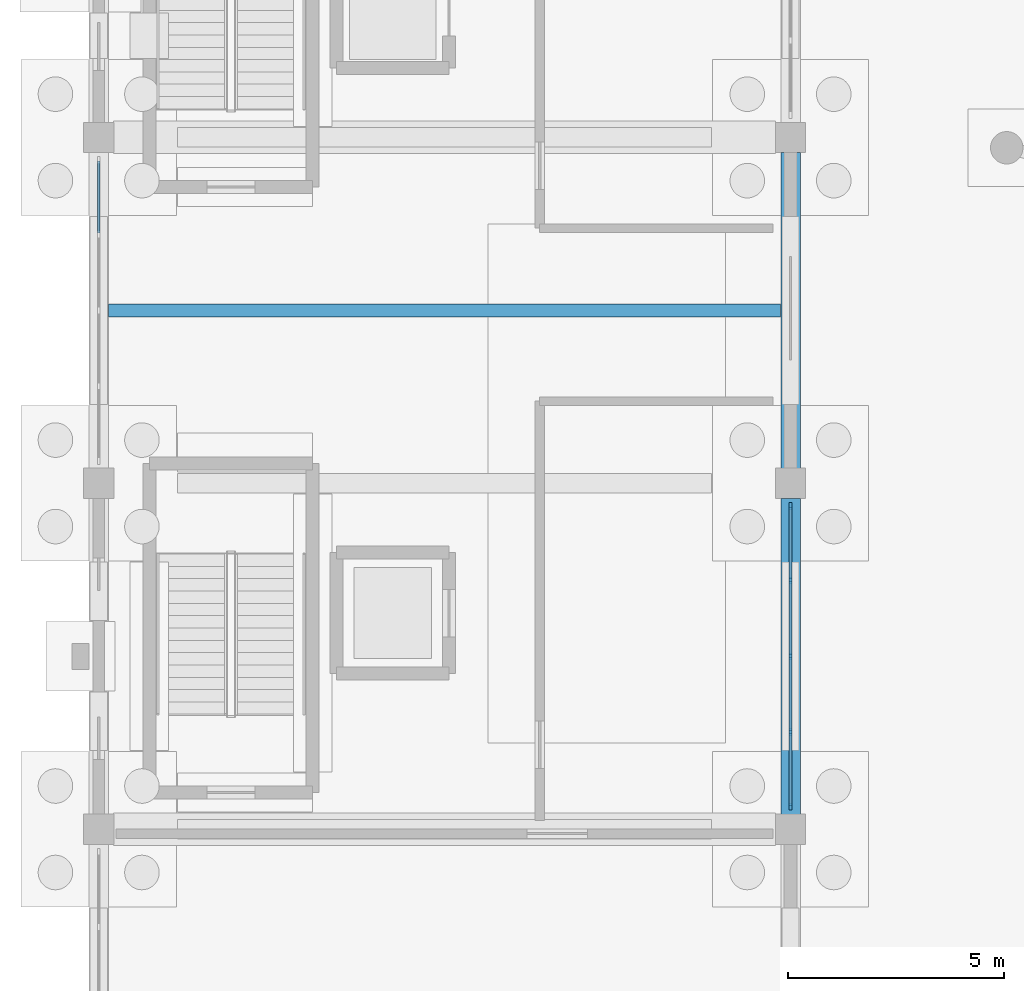
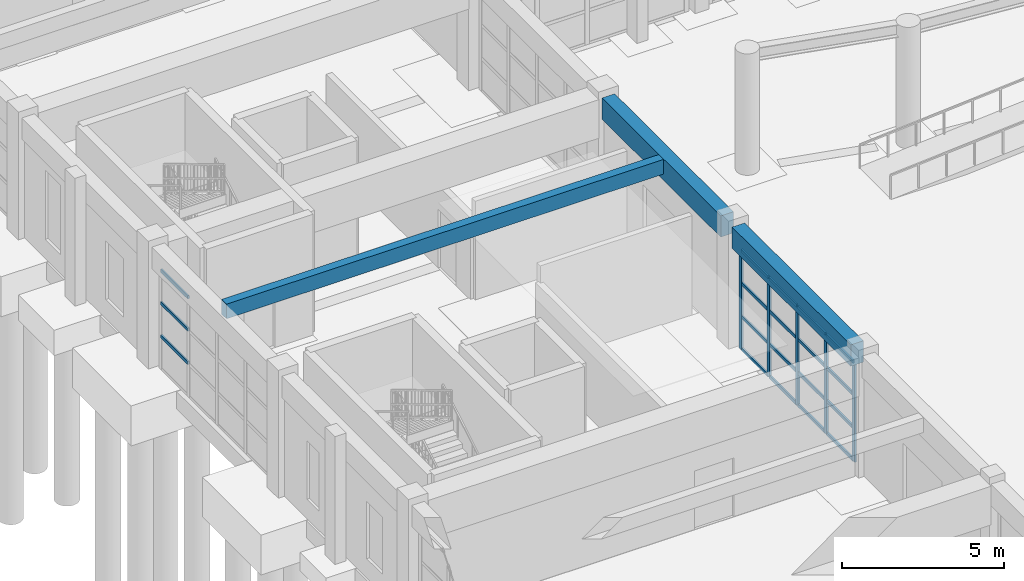
# One storey, part 12 of 68: 24 members, 3 beams, 2 elements without a shape of their own.
"""IFC4 building model written with IfcOpenShell, lengths in metres."""

import ifcopenshell
import ifcopenshell.guid

model = None  # the IFC model being written
_history = None  # IfcOwnerHistory: only IFC2X3 demands one
_inside = {}  # id of a spatial element -> (the spatial element, [elements in it])
_under = {}  # id of a project, library or spatial element -> (it, [spatial elements below it])
_declared = {}  # id of a project -> (the project, [libraries it declares])
_typed = {}  # id of a type object -> (the type object, [elements of that type])
_made_of = {}  # id of a material, layer set ... -> (it, [elements and type objects made of it])


def new_model(schema):
    """Start an empty IFC model of exactly this schema.

    Asked for "IFC4X3", IfcOpenShell would pick the latest addendum, in which some entities
    have other attributes; the version numbers below select the first issue.
    IFC2X3 requires an IfcOwnerHistory on every rooted entity: one is made here for all.
    """
    global model, _history
    if schema == "IFC4X3":
        model = ifcopenshell.file(schema_version=(4, 3, 0, 0))
    else:
        model = ifcopenshell.file(schema=schema)
    _inside.clear()
    _under.clear()
    _declared.clear()
    _typed.clear()
    _made_of.clear()
    _history = None
    if model.schema == "IFC2X3":
        org = make("IfcOrganization", Name="unknown")
        user = make(
            "IfcPersonAndOrganization",
            ThePerson=make("IfcPerson", FamilyName="unknown"),
            TheOrganization=org,
        )
        app = make(
            "IfcApplication",
            ApplicationDeveloper=org,
            Version="unknown",
            ApplicationFullName="unknown",
            ApplicationIdentifier="unknown",
        )
        _history = make(
            "IfcOwnerHistory",
            OwningUser=user,
            OwningApplication=app,
            ChangeAction="ADDED",
            CreationDate=0,
        )
    return model


def make(cls, **values):
    """One entity of the class cls with the attributes given. An attribute that is None is left unset."""
    return model.create_entity(
        cls, **{name: value for name, value in values.items() if value is not None}
    )


def rooted(cls, **values):
    """An entity with a GlobalId (a new one), such as an element, a storey or a relation."""
    return make(cls, GlobalId=ifcopenshell.guid.new(), OwnerHistory=_history, **values)


def si_unit(unit_type, name, prefix=None):
    """IfcSIUnit, for example si_unit("LENGTHUNIT", "METRE", prefix="MILLI")."""
    return make("IfcSIUnit", UnitType=unit_type, Prefix=prefix, Name=name)


def assignment(units):
    """IfcUnitAssignment: the units of a project."""
    return None if units is None else make("IfcUnitAssignment", Units=units)


def point(xyz):
    """IfcCartesianPoint."""
    return None if xyz is None else make("IfcCartesianPoint", Coordinates=xyz)


def direction(xyz):
    """IfcDirection."""
    return None if xyz is None else make("IfcDirection", DirectionRatios=xyz)


def frame(location, z_axis=None, x_axis=None):
    """IfcAxis2Placement3D, a coordinate frame: its origin and axes. An axis left out is left unset."""
    return make(
        "IfcAxis2Placement3D",
        Location=point(location),
        Axis=direction(z_axis),
        RefDirection=direction(x_axis),
    )


def frame_2d(location, x_axis=None):
    """IfcAxis2Placement2D, a coordinate frame in the plane: its origin and x axis."""
    return make(
        "IfcAxis2Placement2D", Location=point(location), RefDirection=direction(x_axis)
    )


def origin():
    """The frame at (0, 0, 0) with its axes left unset."""
    return frame((0.0, 0.0, 0.0))


def origin_2d():
    """The frame at (0, 0) in the plane with its x axis left unset."""
    return frame_2d((0.0, 0.0))


def place(relative_to, where):
    """IfcLocalPlacement: puts the frame where relative to a parent placement (None: the world)."""
    return make(
        "IfcLocalPlacement", PlacementRelTo=relative_to, RelativePlacement=where
    )


def context(
    kind, dimensions, precision=None, world=None, true_north=None, identifier=None
):
    """IfcGeometricRepresentationContext, for example the 3D "Model" context."""
    return make(
        "IfcGeometricRepresentationContext",
        ContextIdentifier=identifier,
        ContextType=kind,
        CoordinateSpaceDimension=dimensions,
        Precision=precision,
        WorldCoordinateSystem=world,
        TrueNorth=true_north,
    )


def subcontext(parent, identifier, kind, view, scale=None):
    """IfcGeometricRepresentationSubContext, for example "Body" below "Model"."""
    return make(
        "IfcGeometricRepresentationSubContext",
        ContextIdentifier=identifier,
        ContextType=kind,
        ParentContext=parent,
        TargetScale=scale,
        TargetView=view,
    )


def project(units=None, contexts=None):
    """IfcProject with its units and contexts."""
    return rooted(
        "IfcProject",
        Name="project",
        RepresentationContexts=contexts,
        UnitsInContext=assignment(units),
    )


def spatial(cls, under=None, at=None, **own):
    """A site, building, storey or space (cls), placed at a placement, below another one or the project."""
    s = rooted(cls, ObjectPlacement=at, **own)
    if under is not None:
        _under.setdefault(under.id(), (under, []))[1].append(s)
    return s


def profile(cls, at=None, kind="AREA", **sizes):
    """A parametric profile (cls). Its sizes go by their IFC names, for example OverallWidth=200.0."""
    return make(cls, ProfileType=kind, Position=at, **sizes)


def rectangle(**sizes):
    """IfcRectangleProfileDef."""
    return profile("IfcRectangleProfileDef", **sizes)


def extrude(swept, where, along, depth):
    """IfcExtrudedAreaSolid: the profile swept, set in the frame where, extruded along a direction by depth."""
    return make(
        "IfcExtrudedAreaSolid",
        SweptArea=swept,
        Position=where,
        ExtrudedDirection=direction(along),
        Depth=depth,
    )


def shape(context_of_items, identifier, shape_type, items):
    """IfcShapeRepresentation: the items that make up one representation, for example the "Body"."""
    return make(
        "IfcShapeRepresentation",
        ContextOfItems=context_of_items,
        RepresentationIdentifier=identifier,
        RepresentationType=shape_type,
        Items=items,
    )


def material(Name=None, Category=None):
    """IfcMaterial."""
    return make("IfcMaterial", Name=Name, Category=Category)


def material_profile(
    of_material, cross_section, Name=None, Category=None, Priority=None
):
    """IfcMaterialProfile: a cross section and its material."""
    return make(
        "IfcMaterialProfile",
        Name=Name,
        Material=of_material,
        Profile=cross_section,
        Priority=Priority,
        Category=Category,
    )


def profile_set(profiles, Name=None, composite=None):
    """IfcMaterialProfileSet."""
    return make(
        "IfcMaterialProfileSet",
        Name=Name,
        MaterialProfiles=profiles,
        CompositeProfile=composite,
    )


def made_of(thing, what):
    """Note that an element or type object is made of a material, layer set ...; save() writes the relation."""
    if what is not None:
        _made_of.setdefault(what.id(), (what, []))[1].append(thing)
    return thing


def type_object(cls, material=None, **own):
    """A type object (cls), such as IfcWallType, which elements share."""
    return made_of(rooted(cls, **own), material)


def element(
    cls,
    number,
    at=None,
    inside=None,
    cuts=None,
    type_object=None,
    material=None,
    context=None,
    identifier="Body",
    shape_type=None,
    held_by="IfcProductDefinitionShape",
    body=None,
    shapes=None,
    **own,
):
    """One element of the class cls, such as IfcWall. Its Tag is "e" and its number.

    at: its placement. inside: the storey or other place that contains it. cuts: it is an
    opening in that element (IfcRelVoidsElement). A single representation is given by context,
    identifier, shape_type and body (its items); several are given by shapes. held_by: the class
    of the entity that holds the representations. save() writes the other relations.
    """
    e = rooted(cls, Tag="e%d" % number, ObjectPlacement=at, **own)
    if body is not None:
        shapes = [shape(context, identifier, shape_type, body)]
    if shapes is not None:
        e.Representation = make(held_by, Representations=shapes)
    if inside is not None:
        _inside.setdefault(inside.id(), (inside, []))[1].append(e)
    if cuts is not None:
        rooted(
            "IfcRelVoidsElement", RelatingBuildingElement=cuts, RelatedOpeningElement=e
        )
    if type_object is not None:
        _typed.setdefault(type_object.id(), (type_object, []))[1].append(e)
    return made_of(e, material)


def aggregate(whole, parts):
    """IfcRelAggregates: a whole, such as a stair, and the parts it consists of."""
    return rooted("IfcRelAggregates", RelatingObject=whole, RelatedObjects=parts)


def save(model, path):
    """Write the relations noted so far, then the file.

    IfcRelAggregates (storeys below a building ...), IfcRelContainedInSpatialStructure (elements
    in a storey), IfcRelDefinesByType, IfcRelAssociatesMaterial and IfcRelDeclares: one each for
    every whole, place, type object, material and project.
    """
    for whole, parts in _under.values():
        aggregate(whole, parts)
    for where, things in _inside.values():
        rooted(
            "IfcRelContainedInSpatialStructure",
            RelatedElements=things,
            RelatingStructure=where,
        )
    for kind, things in _typed.values():
        rooted("IfcRelDefinesByType", RelatedObjects=things, RelatingType=kind)
    for what, things in _made_of.values():
        rooted("IfcRelAssociatesMaterial", RelatedObjects=things, RelatingMaterial=what)
    for by, libraries in _declared.values():
        rooted("IfcRelDeclares", RelatingContext=by, RelatedDefinitions=libraries)
    model.write(path)


model = new_model("IFC4")

# Units and contexts
model_context = context("Model", 3, precision=1e-05, world=origin(), true_north=direction((0.0, 1.0)))
body_context = subcontext(model_context, "Body", "Model", "MODEL_VIEW")
ifc_project = project(units=[si_unit("LENGTHUNIT", "METRE"), si_unit("AREAUNIT", "SQUARE_METRE"), si_unit("VOLUMEUNIT", "CUBIC_METRE"), si_unit("PLANEANGLEUNIT", "RADIAN"), si_unit("MASSUNIT", "GRAM", prefix="KILO")], contexts=[model_context])

# Site, building, storey
site_placement = place(None, origin())
site = spatial("IfcSite", under=ifc_project, at=site_placement, CompositionType="ELEMENT")
building_placement = place(site_placement, origin())
building = spatial("IfcBuilding", under=site, at=building_placement, Name="Serraluz Foothill Cableway Terminal", CompositionType="ELEMENT")
storey_placement = place(building_placement, origin())
storey = spatial("IfcBuildingStorey", under=building, at=storey_placement, Name="L00", CompositionType="ELEMENT", Elevation=0.0)

# Beams
ifc_material_1 = material(Name="Concrete C35/45 (f'c 35 MPa)", Category="concrete")
ifc_material_profile_1 = material_profile(ifc_material_1, rectangle(XDim=0.449951171875, YDim=0.800048828125, at=origin_2d()), Name="RC 450x800")
ifc_profile_set_1 = profile_set([ifc_material_profile_1], Name="Concrete C35/45 (f'c 35 MPa)")
beam_type_1 = type_object("IfcBeamType", Name="TYP-BM-RC450X800", PredefinedType="BEAM", material=ifc_profile_set_1)
for number, where, z_axis, x_axis, name in (
    (1, (16.0, 32.345947265625, 4.139892578125), (0.0, 1.0, 0.0), (-1.0, 0.0, 0.0), "Transverse Girder BM-Y-L00-0123"),
    (2, (16.0, 40.345947265625, 4.139892578125), (0.0, 1.0, 0.0), (-1.0, 0.0, 0.0), "Transverse Girder BM-Y-L00-0124"),
):
    element("IfcBeam", number, at=place(storey_placement, frame(where, z_axis=z_axis, x_axis=x_axis)), inside=storey, type_object=beam_type_1, Name=name, PredefinedType="BEAM", context=body_context, shape_type="SweptSolid", body=[
        extrude(rectangle(XDim=0.449951171875, YDim=0.800048828125, at=origin_2d()), origin(), (0.0, 0.0, 1.0), 7.30810546875),
    ])

# Curtain wall, members
ifc_material_2 = material(Name="Architectural bronze alloy C28000", Category="aluminium")
curtain_wall_type_1 = type_object("IfcCurtainWallType", Name="TYP-CW-680X420", PredefinedType="NOTDEFINED", material=ifc_material_2)
curtain_wall_1_placement = place(storey_placement, origin())
curtain_wall_1 = element("IfcCurtainWall", 3, at=curtain_wall_1_placement, inside=storey, type_object=curtain_wall_type_1, Name="Ribbed Glazed Curtain Wall CW-V5E-L00-32", PredefinedType="NOTDEFINED")
ifc_material_profile_2 = material_profile(ifc_material_2, rectangle(XDim=0.06005859375, YDim=0.159912109375, at=origin_2d()), Name="ALU MULLION 60x160")
ifc_profile_set_2 = profile_set([ifc_material_profile_2], Name="Architectural bronze alloy C28000")
member_type_1 = type_object("IfcMemberType", Name="TYP-CW-MUL-60X160", PredefinedType="MULLION", material=ifc_profile_set_2)
member_1_placement = place(storey_placement, frame((16.0, 39.47998046875, 0.0), z_axis=(0.0, 0.0, 1.0), x_axis=(1.0, 0.0, 0.0)))
member_1 = element("IfcMember", 4, at=member_1_placement, type_object=member_type_1, Name="CW-13 mullion 1", PredefinedType="MULLION", context=body_context, shape_type="SweptSolid", body=[
    extrude(rectangle(XDim=0.06005859375, YDim=0.159912109375, at=origin_2d()), origin(), (0.0, 0.0, 1.0), 3.739990234375),
])
member_2_placement = place(storey_placement, frame((16.0, 37.7548828125, 0.0), z_axis=(0.0, 0.0, 1.0), x_axis=(1.0, 0.0, 0.0)))
member_2 = element("IfcMember", 5, at=member_2_placement, type_object=member_type_1, Name="CW-13 mullion 2", PredefinedType="MULLION", context=body_context, shape_type="SweptSolid", body=[
    extrude(rectangle(XDim=0.06005859375, YDim=0.159912109375, at=origin_2d()), origin(), (0.0, 0.0, 1.0), 3.739990234375),
])
member_3_placement = place(storey_placement, frame((16.0, 36.0, 0.0), z_axis=(0.0, 0.0, 1.0), x_axis=(1.0, 0.0, 0.0)))
member_3 = element("IfcMember", 6, at=member_3_placement, type_object=member_type_1, Name="CW-13 mullion 3", PredefinedType="MULLION", context=body_context, shape_type="SweptSolid", body=[
    extrude(rectangle(XDim=0.06005859375, YDim=0.159912109375, at=origin_2d()), origin(), (0.0, 0.0, 1.0), 3.739990234375),
])
member_4_placement = place(storey_placement, frame((16.0, 34.2451171875, 0.0), z_axis=(0.0, 0.0, 1.0), x_axis=(1.0, 0.0, 0.0)))
member_4 = element("IfcMember", 7, at=member_4_placement, type_object=member_type_1, Name="CW-13 mullion 4", PredefinedType="MULLION", context=body_context, shape_type="SweptSolid", body=[
    extrude(rectangle(XDim=0.06005859375, YDim=0.159912109375, at=origin_2d()), origin(), (0.0, 0.0, 1.0), 3.739990234375),
])
member_5_placement = place(storey_placement, frame((16.0, 32.52001953125, 0.0), z_axis=(0.0, 0.0, 1.0), x_axis=(1.0, 0.0, 0.0)))
member_5 = element("IfcMember", 8, at=member_5_placement, type_object=member_type_1, Name="CW-13 mullion 5", PredefinedType="MULLION", context=body_context, shape_type="SweptSolid", body=[
    extrude(rectangle(XDim=0.06005859375, YDim=0.159912109375, at=origin_2d()), origin(), (0.0, 0.0, 1.0), 3.739990234375),
])
ifc_material_profile_3 = material_profile(ifc_material_2, rectangle(XDim=0.06005859375, YDim=0.1201171875, at=origin_2d()), Name="ALU TRANSOM 60x120")
ifc_profile_set_3 = profile_set([ifc_material_profile_3], Name="Architectural bronze alloy C28000")
member_type_2 = type_object("IfcMemberType", Name="TYP-CW-TRN-60X120", PredefinedType="USERDEFINED", material=ifc_profile_set_3)
member_6_placement = place(storey_placement, frame((16.0, 39.449951171875, 0.030029296875), z_axis=(0.0, -1.0, 0.0), x_axis=(1.0, 0.0, 0.0)))
member_6 = element("IfcMember", 9, at=member_6_placement, type_object=member_type_2, Name="CW-13 transom 1.1", ObjectType="TRANSOM", PredefinedType="USERDEFINED", context=body_context, shape_type="SweptSolid", body=[
    extrude(rectangle(XDim=0.06005859375, YDim=0.1201171875, at=origin_2d()), origin(), (0.0, 0.0, 1.0), 1.6650390625),
])
member_7_placement = place(storey_placement, frame((16.0, 39.449951171875, 1.24658203125), z_axis=(0.0, -1.0, 0.0), x_axis=(1.0, 0.0, 0.0)))
member_7 = element("IfcMember", 10, at=member_7_placement, type_object=member_type_2, Name="CW-13 transom 1.2", ObjectType="TRANSOM", PredefinedType="USERDEFINED", context=body_context, shape_type="SweptSolid", body=[
    extrude(rectangle(XDim=0.06005859375, YDim=0.1201171875, at=origin_2d()), origin(), (0.0, 0.0, 1.0), 1.6650390625),
])
member_8_placement = place(storey_placement, frame((16.0, 39.449951171875, 2.493408203125), z_axis=(0.0, -1.0, 0.0), x_axis=(1.0, 0.0, 0.0)))
member_8 = element("IfcMember", 11, at=member_8_placement, type_object=member_type_2, Name="CW-13 transom 1.3", ObjectType="TRANSOM", PredefinedType="USERDEFINED", context=body_context, shape_type="SweptSolid", body=[
    extrude(rectangle(XDim=0.06005859375, YDim=0.1201171875, at=origin_2d()), origin(), (0.0, 0.0, 1.0), 1.6650390625),
])
member_9_placement = place(storey_placement, frame((16.0, 39.449951171875, 3.7099609375), z_axis=(0.0, -1.0, 0.0), x_axis=(1.0, 0.0, 0.0)))
member_9 = element("IfcMember", 12, at=member_9_placement, type_object=member_type_2, Name="CW-13 transom 1.4", ObjectType="TRANSOM", PredefinedType="USERDEFINED", context=body_context, shape_type="SweptSolid", body=[
    extrude(rectangle(XDim=0.06005859375, YDim=0.1201171875, at=origin_2d()), origin(), (0.0, 0.0, 1.0), 1.6650390625),
])
member_10_placement = place(storey_placement, frame((16.0, 37.72509765625, 0.030029296875), z_axis=(0.0, -1.0, 0.0), x_axis=(1.0, 0.0, 0.0)))
member_10 = element("IfcMember", 13, at=member_10_placement, type_object=member_type_2, Name="CW-13 transom 2.1", ObjectType="TRANSOM", PredefinedType="USERDEFINED", context=body_context, shape_type="SweptSolid", body=[
    extrude(rectangle(XDim=0.06005859375, YDim=0.1201171875, at=origin_2d()), origin(), (0.0, 0.0, 1.0), 1.695068359375),
])
member_11_placement = place(storey_placement, frame((16.0, 37.72509765625, 1.24658203125), z_axis=(0.0, -1.0, 0.0), x_axis=(1.0, 0.0, 0.0)))
member_11 = element("IfcMember", 14, at=member_11_placement, type_object=member_type_2, Name="CW-13 transom 2.2", ObjectType="TRANSOM", PredefinedType="USERDEFINED", context=body_context, shape_type="SweptSolid", body=[
    extrude(rectangle(XDim=0.06005859375, YDim=0.1201171875, at=origin_2d()), origin(), (0.0, 0.0, 1.0), 1.695068359375),
])
member_12_placement = place(storey_placement, frame((16.0, 37.72509765625, 2.493408203125), z_axis=(0.0, -1.0, 0.0), x_axis=(1.0, 0.0, 0.0)))
member_12 = element("IfcMember", 15, at=member_12_placement, type_object=member_type_2, Name="CW-13 transom 2.3", ObjectType="TRANSOM", PredefinedType="USERDEFINED", context=body_context, shape_type="SweptSolid", body=[
    extrude(rectangle(XDim=0.06005859375, YDim=0.1201171875, at=origin_2d()), origin(), (0.0, 0.0, 1.0), 1.695068359375),
])
member_13_placement = place(storey_placement, frame((16.0, 37.72509765625, 3.7099609375), z_axis=(0.0, -1.0, 0.0), x_axis=(1.0, 0.0, 0.0)))
member_13 = element("IfcMember", 16, at=member_13_placement, type_object=member_type_2, Name="CW-13 transom 2.4", ObjectType="TRANSOM", PredefinedType="USERDEFINED", context=body_context, shape_type="SweptSolid", body=[
    extrude(rectangle(XDim=0.06005859375, YDim=0.1201171875, at=origin_2d()), origin(), (0.0, 0.0, 1.0), 1.695068359375),
])
member_14_placement = place(storey_placement, frame((16.0, 35.969970703125, 0.030029296875), z_axis=(0.0, -1.0, 0.0), x_axis=(1.0, 0.0, 0.0)))
member_14 = element("IfcMember", 17, at=member_14_placement, type_object=member_type_2, Name="CW-13 transom 3.1", ObjectType="TRANSOM", PredefinedType="USERDEFINED", context=body_context, shape_type="SweptSolid", body=[
    extrude(rectangle(XDim=0.06005859375, YDim=0.1201171875, at=origin_2d()), origin(), (0.0, 0.0, 1.0), 1.695068359375),
])
member_15_placement = place(storey_placement, frame((16.0, 35.969970703125, 1.24658203125), z_axis=(0.0, -1.0, 0.0), x_axis=(1.0, 0.0, 0.0)))
member_15 = element("IfcMember", 18, at=member_15_placement, type_object=member_type_2, Name="CW-13 transom 3.2", ObjectType="TRANSOM", PredefinedType="USERDEFINED", context=body_context, shape_type="SweptSolid", body=[
    extrude(rectangle(XDim=0.06005859375, YDim=0.1201171875, at=origin_2d()), origin(), (0.0, 0.0, 1.0), 1.695068359375),
])
member_16_placement = place(storey_placement, frame((16.0, 35.969970703125, 2.493408203125), z_axis=(0.0, -1.0, 0.0), x_axis=(1.0, 0.0, 0.0)))
member_16 = element("IfcMember", 19, at=member_16_placement, type_object=member_type_2, Name="CW-13 transom 3.3", ObjectType="TRANSOM", PredefinedType="USERDEFINED", context=body_context, shape_type="SweptSolid", body=[
    extrude(rectangle(XDim=0.06005859375, YDim=0.1201171875, at=origin_2d()), origin(), (0.0, 0.0, 1.0), 1.695068359375),
])
member_17_placement = place(storey_placement, frame((16.0, 35.969970703125, 3.7099609375), z_axis=(0.0, -1.0, 0.0), x_axis=(1.0, 0.0, 0.0)))
member_17 = element("IfcMember", 20, at=member_17_placement, type_object=member_type_2, Name="CW-13 transom 3.4", ObjectType="TRANSOM", PredefinedType="USERDEFINED", context=body_context, shape_type="SweptSolid", body=[
    extrude(rectangle(XDim=0.06005859375, YDim=0.1201171875, at=origin_2d()), origin(), (0.0, 0.0, 1.0), 1.695068359375),
])
member_18_placement = place(storey_placement, frame((16.0, 34.215087890625, 0.030029296875), z_axis=(0.0, -1.0, 0.0), x_axis=(1.0, 0.0, 0.0)))
member_18 = element("IfcMember", 21, at=member_18_placement, type_object=member_type_2, Name="CW-13 transom 4.1", ObjectType="TRANSOM", PredefinedType="USERDEFINED", context=body_context, shape_type="SweptSolid", body=[
    extrude(rectangle(XDim=0.06005859375, YDim=0.1201171875, at=origin_2d()), origin(), (0.0, 0.0, 1.0), 1.6650390625),
])
member_19_placement = place(storey_placement, frame((16.0, 34.215087890625, 1.24658203125), z_axis=(0.0, -1.0, 0.0), x_axis=(1.0, 0.0, 0.0)))
member_19 = element("IfcMember", 22, at=member_19_placement, type_object=member_type_2, Name="CW-13 transom 4.2", ObjectType="TRANSOM", PredefinedType="USERDEFINED", context=body_context, shape_type="SweptSolid", body=[
    extrude(rectangle(XDim=0.06005859375, YDim=0.1201171875, at=origin_2d()), origin(), (0.0, 0.0, 1.0), 1.6650390625),
])
member_20_placement = place(storey_placement, frame((16.0, 34.215087890625, 2.493408203125), z_axis=(0.0, -1.0, 0.0), x_axis=(1.0, 0.0, 0.0)))
member_20 = element("IfcMember", 23, at=member_20_placement, type_object=member_type_2, Name="CW-13 transom 4.3", ObjectType="TRANSOM", PredefinedType="USERDEFINED", context=body_context, shape_type="SweptSolid", body=[
    extrude(rectangle(XDim=0.06005859375, YDim=0.1201171875, at=origin_2d()), origin(), (0.0, 0.0, 1.0), 1.6650390625),
])
member_21_placement = place(storey_placement, frame((16.0, 34.215087890625, 3.7099609375), z_axis=(0.0, -1.0, 0.0), x_axis=(1.0, 0.0, 0.0)))
member_21 = element("IfcMember", 24, at=member_21_placement, type_object=member_type_2, Name="CW-13 transom 4.4", ObjectType="TRANSOM", PredefinedType="USERDEFINED", context=body_context, shape_type="SweptSolid", body=[
    extrude(rectangle(XDim=0.06005859375, YDim=0.1201171875, at=origin_2d()), origin(), (0.0, 0.0, 1.0), 1.6650390625),
])
aggregate(curtain_wall_1, [member_1, member_2, member_3, member_4, member_5, member_6, member_7, member_8, member_9, member_10, member_11, member_12, member_13, member_14, member_15, member_16, member_17, member_18, member_19, member_20, member_21])

curtain_wall_type_2 = type_object("IfcCurtainWallType", Name="TYP-CW-520X440", PredefinedType="NOTDEFINED", material=ifc_material_2)
curtain_wall_2_placement = place(storey_placement, origin())
curtain_wall_2 = element("IfcCurtainWall", 25, at=curtain_wall_2_placement, inside=storey, type_object=curtain_wall_type_2, Name="Ribbed Glazed Curtain Wall CW-V5W-L00-40", PredefinedType="NOTDEFINED")
member_22_placement = place(storey_placement, frame((0.0, 45.784912109375, 1.24658203125), z_axis=(0.0, 1.0, 0.0), x_axis=(-1.0, 0.0, 0.0)))
member_22 = element("IfcMember", 26, at=member_22_placement, type_object=member_type_2, Name="CW-08 transom 4.2", ObjectType="TRANSOM", PredefinedType="USERDEFINED", context=body_context, shape_type="SweptSolid", body=[
    extrude(rectangle(XDim=0.06005859375, YDim=0.1201171875, at=origin_2d()), origin(), (0.0, 0.0, 1.0), 1.6650390625),
])
member_23_placement = place(storey_placement, frame((0.0, 45.784912109375, 2.493408203125), z_axis=(0.0, 1.0, 0.0), x_axis=(-1.0, 0.0, 0.0)))
member_23 = element("IfcMember", 27, at=member_23_placement, type_object=member_type_2, Name="CW-08 transom 4.3", ObjectType="TRANSOM", PredefinedType="USERDEFINED", context=body_context, shape_type="SweptSolid", body=[
    extrude(rectangle(XDim=0.06005859375, YDim=0.1201171875, at=origin_2d()), origin(), (0.0, 0.0, 1.0), 1.6650390625),
])
member_24_placement = place(storey_placement, frame((0.0, 45.784912109375, 3.7099609375), z_axis=(0.0, 1.0, 0.0), x_axis=(-1.0, 0.0, 0.0)))
member_24 = element("IfcMember", 28, at=member_24_placement, type_object=member_type_2, Name="CW-08 transom 4.4", ObjectType="TRANSOM", PredefinedType="USERDEFINED", context=body_context, shape_type="SweptSolid", body=[
    extrude(rectangle(XDim=0.06005859375, YDim=0.1201171875, at=origin_2d()), origin(), (0.0, 0.0, 1.0), 1.6650390625),
])
aggregate(curtain_wall_2, [member_22, member_23, member_24])

# Beam
ifc_material_3 = material(Name="Concrete C28/35 (f'c 28 MPa)", Category="concrete")
ifc_material_profile_4 = material_profile(ifc_material_3, rectangle(XDim=0.300048828125, YDim=0.550048828125, at=origin_2d()), Name="RC 300x550")
ifc_profile_set_4 = profile_set([ifc_material_profile_4], Name="Concrete C28/35 (f'c 28 MPa)")
beam_type_2 = type_object("IfcBeamType", Name="TYP-JS-RC300X550", PredefinedType="JOIST", material=ifc_profile_set_4)
beam_placement = place(storey_placement, frame((0.22998046875, 44.0, 4.264892578125), z_axis=(1.0, 0.0, 0.0), x_axis=(0.0, 1.0, 0.0)))
element("IfcBeam", 29, at=beam_placement, inside=storey, type_object=beam_type_2, Name="Secondary Floor Joist JS-L00-0013", PredefinedType="JOIST", context=body_context, shape_type="SweptSolid", body=[
    extrude(rectangle(XDim=0.300048828125, YDim=0.550048828125, at=origin_2d()), origin(), (0.0, 0.0, 1.0), 15.5400390625),
])

save(model, "model.ifc")
